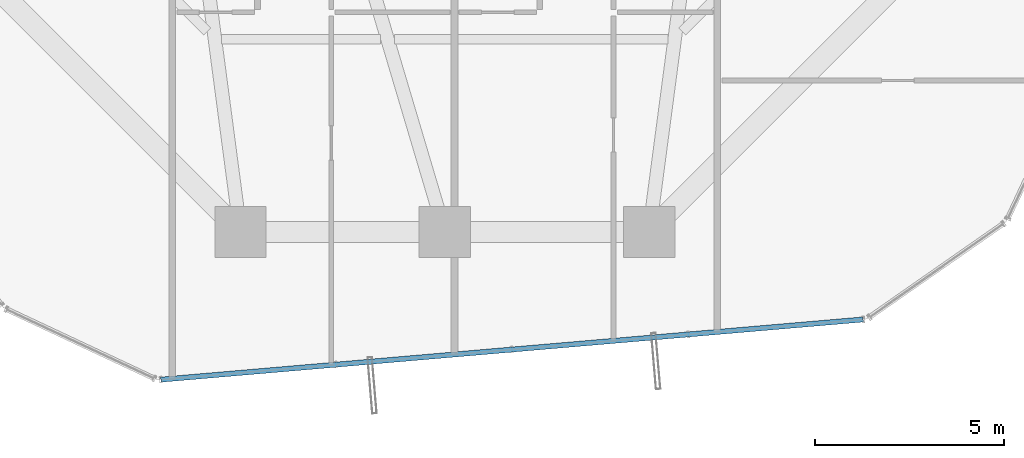
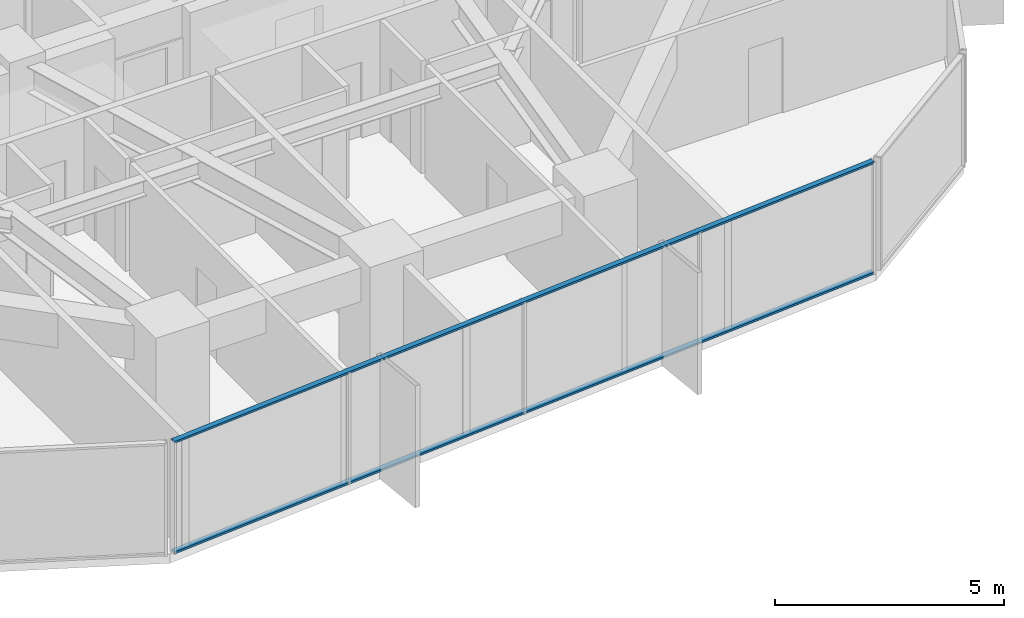
# One storey, part 7 of 37: 2 members, 1 element without a shape of its own.
"""IFC4 building model written with IfcOpenShell, lengths in metres."""

from ifc_helpers import new_model, si_unit, direction, frame, origin, origin_2d, place, context, subcontext, project, spatial, hollow_rectangle, extrude, source, transform, mapped, material, layer, layer_set, material_profile, profile_set, type_object, element, aggregate, save


model = new_model("IFC4")

# Units and contexts
model_context = context("Model", 3, precision=1e-05, world=origin(), true_north=direction((0.0, 1.0)))
body_context = subcontext(model_context, "Body", "Model", "MODEL_VIEW")
ifc_project = project(units=[si_unit("LENGTHUNIT", "METRE"), si_unit("AREAUNIT", "SQUARE_METRE"), si_unit("VOLUMEUNIT", "CUBIC_METRE"), si_unit("PLANEANGLEUNIT", "RADIAN"), si_unit("MASSUNIT", "GRAM", prefix="KILO")], contexts=[model_context])

# Site, building, storey
site_placement = place(None, origin())
site = spatial("IfcSite", under=ifc_project, at=site_placement, CompositionType="ELEMENT")
building_placement = place(site_placement, origin())
building = spatial("IfcBuilding", under=site, at=building_placement, Name="Veraguas Prism Commons", CompositionType="ELEMENT")
storey_placement = place(building_placement, frame((0.0, 0.0, 40.300048828125)))
storey = spatial("IfcBuildingStorey", under=building, at=storey_placement, Name="L10", CompositionType="ELEMENT", Elevation=40.300048828125)

# Curtain wall, members
ifc_material = material(Name="Anodised aluminium EN AW-6063 T6", Category="aluminium")
ifc_layer = layer(ifc_material, 0.169921875, Name="Unitised Flush Curtain Wall Zone 1", Category="aluminium")
ifc_layer_set = layer_set([ifc_layer], Name="Anodised aluminium EN AW-6063 T6")
curtain_wall_type = type_object("IfcCurtainWallType", Name="Unitised Flush Curtain Wall Zone 1", PredefinedType="NOTDEFINED", material=ifc_layer_set)
curtain_wall_placement = place(storey_placement, origin())
curtain_wall = element("IfcCurtainWall", 1, at=curtain_wall_placement, inside=storey, type_object=curtain_wall_type, Name="Tower Facade Curtain Wall L10-F5", PredefinedType="NOTDEFINED")
ifc_material_profile = material_profile(ifc_material, hollow_rectangle(XDim=0.054931640625, YDim=0.135009765625, WallThickness=0.0029296875, at=origin_2d()), Name="AL55X135X3")
ifc_profile_set = profile_set([ifc_material_profile], Name="Anodised aluminium EN AW-6063 T6")
member_type = type_object("IfcMemberType", Name="Curtain Wall Transom Standard AL 55x135x3", PredefinedType="USERDEFINED", material=ifc_profile_set)
shared_shape = source(origin(), body_context, "Body", "SweptSolid", [
    extrude(hollow_rectangle(XDim=0.054931640625, YDim=0.135009765625, WallThickness=0.0029296875, at=origin_2d()), origin(), (0.0, 0.0, 1.0), 18.623779296875),
])
member_1_placement = place(storey_placement, frame((16.49755859375, 2.495849609375, 0.02734375), z_axis=(0.996345119131, 0.085418988425, 0.0), x_axis=(0.0, 0.0, 1.0)))
member_1 = element("IfcMember", 2, at=member_1_placement, type_object=member_type, Name="CW-Z1 Transom 1", ObjectType="TRANSOM", PredefinedType="USERDEFINED", context=body_context, shape_type="MappedRepresentation", body=[
    mapped(shared_shape, transform((0.0, 0.0, 0.0), scale=1.0)),
])
member_2_placement = place(storey_placement, frame((16.49755859375, 2.495849609375, 2.972412109375), z_axis=(0.996345119131, 0.085418988425, 0.0), x_axis=(0.0, 0.0, 1.0)))
member_2 = element("IfcMember", 3, at=member_2_placement, type_object=member_type, Name="CW-Z1 Transom 2", ObjectType="TRANSOM", PredefinedType="USERDEFINED", context=body_context, shape_type="MappedRepresentation", body=[
    mapped(shared_shape, transform((0.0, 0.0, 0.0), scale=1.0)),
])
aggregate(curtain_wall, [member_1, member_2])

save(model, "model.ifc")
